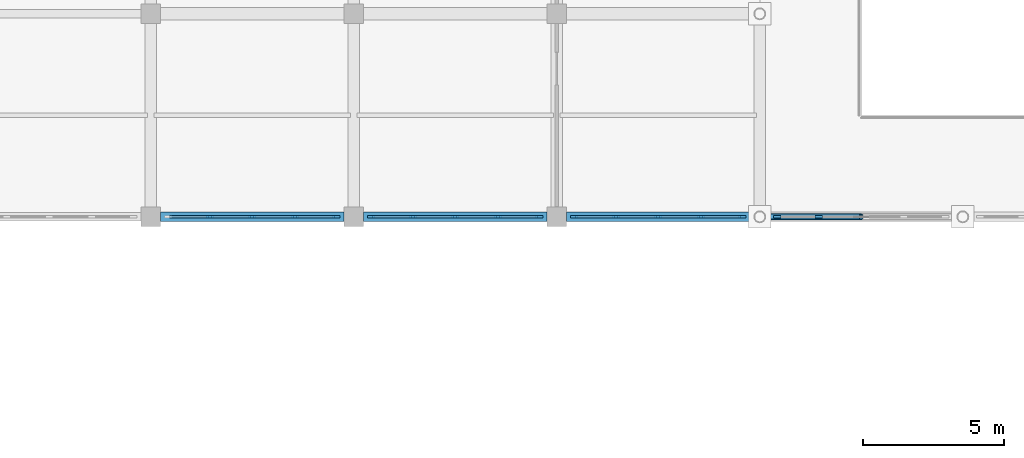
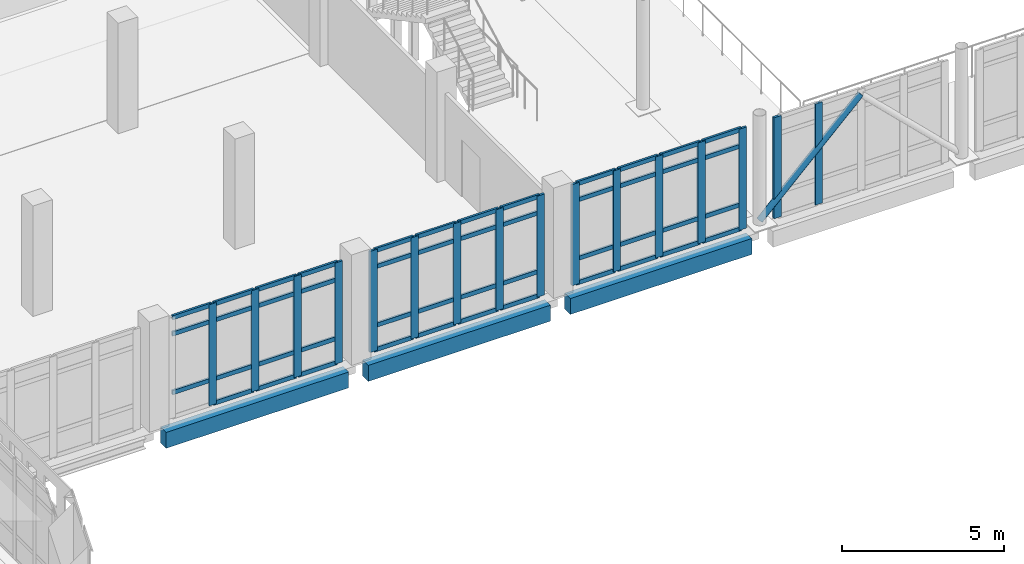
# One storey, part 11 of 62: 64 members, 3 beams, 4 elements without a shape of their own.
"""IFC4 building model written with IfcOpenShell, lengths in metres."""

from ifc_helpers import new_model, si_unit, direction, frame, origin, origin_2d, place, context, subcontext, project, spatial, rectangle, hollow_circle, extrude, material, layer, layer_set, material_profile, profile_set, type_object, element, aggregate, save


model = new_model("IFC4")

# Units and contexts
model_context = context("Model", 3, precision=1e-05, world=origin(), true_north=direction((0.0, 1.0)))
body_context = subcontext(model_context, "Body", "Model", "MODEL_VIEW")
ifc_project = project(units=[si_unit("LENGTHUNIT", "METRE"), si_unit("AREAUNIT", "SQUARE_METRE"), si_unit("VOLUMEUNIT", "CUBIC_METRE"), si_unit("PLANEANGLEUNIT", "RADIAN"), si_unit("MASSUNIT", "GRAM", prefix="KILO")], contexts=[model_context])

# Site, building, storey
site_placement = place(None, origin())
site = spatial("IfcSite", under=ifc_project, at=site_placement, CompositionType="ELEMENT")
building_placement = place(site_placement, origin())
building = spatial("IfcBuilding", under=site, at=building_placement, Name="Valkovuoma Quantum and Materials Research Institute", CompositionType="ELEMENT")
storey_placement = place(building_placement, frame((0.0, 0.0, 8.9599609375)))
storey = spatial("IfcBuildingStorey", under=building, at=storey_placement, Name="L02", CompositionType="ELEMENT", Elevation=8.9599609375)

# Beams
ifc_material_1 = material(Name="Concrete C40/50", Category="concrete")
ifc_material_profile_1 = material_profile(ifc_material_1, rectangle(XDim=0.35009765625, YDim=0.60009765625, at=origin_2d()), Name="Concrete C40/50")
ifc_profile_set_1 = profile_set([ifc_material_profile_1], Name="Concrete C40/50")
beam_type = type_object("IfcBeamType", Name="Beam-B-SPN600", PredefinedType="SPANDREL", material=ifc_profile_set_1)
for number, where, z_axis, x_axis, name in (
    (1, (21.949951171875, 36.0, -0.64990234375), (1.0, 0.0, 0.0), (0.0, 1.0, 0.0), "L02 beam X-1002"),
    (2, (29.14990234375, 36.0, -0.64990234375), (1.0, 0.0, 0.0), (0.0, 1.0, 0.0), "L02 beam X-1003"),
):
    element("IfcBeam", number, at=place(storey_placement, frame(where, z_axis=z_axis, x_axis=x_axis)), inside=storey, type_object=beam_type, Name=name, PredefinedType="SPANDREL", context=body_context, shape_type="SweptSolid", body=[
        extrude(rectangle(XDim=0.35009765625, YDim=0.60009765625, at=origin_2d()), origin(), (0.0, 0.0, 1.0), 6.5),
    ])
beam_placement = place(storey_placement, frame((36.35009765625, 36.0, -0.64990234375), z_axis=(1.0, 0.0, 0.0), x_axis=(0.0, 1.0, 0.0)))
element("IfcBeam", 3, at=beam_placement, inside=storey, type_object=beam_type, Name="L02 beam X-1004", PredefinedType="SPANDREL", context=body_context, shape_type="SweptSolid", body=[
    extrude(rectangle(XDim=0.35009765625, YDim=0.60009765625, at=origin_2d()), origin(), (0.0, 0.0, 1.0), 6.474853515625),
])

# Curtain wall, members
ifc_material_2 = material(Name="Thermally broken aluminium and triple low-E glazing", Category="aluminium")
ifc_layer = layer(ifc_material_2, 0.219970703125)
ifc_layer_set = layer_set([ifc_layer], Name="Thermally broken aluminium and triple low-E glazing")
curtain_wall_type = type_object("IfcCurtainWallType", Name="CW-CW-02", PredefinedType="NOTDEFINED", material=ifc_layer_set)
curtain_wall_1_placement = place(storey_placement, origin())
curtain_wall_1 = element("IfcCurtainWall", 4, at=curtain_wall_1_placement, inside=storey, type_object=curtain_wall_type, Name="L02 curtain wall 180", PredefinedType="NOTDEFINED")
ifc_material_3 = material(Name="Anodised aluminium 6060-T66", Category="aluminium")
ifc_material_profile_2 = material_profile(ifc_material_3, rectangle(XDim=0.080078125, YDim=0.260009765625, at=origin_2d()), Name="Anodised aluminium 6060-T66")
ifc_profile_set_2 = profile_set([ifc_material_profile_2], Name="Anodised aluminium 6060-T66")
member_type_1 = type_object("IfcMemberType", Name="CWMull-CWM-03", PredefinedType="MULLION", material=ifc_profile_set_2)
member_1_placement = place(storey_placement, frame((23.68994140625, 36.0, 0.0), z_axis=(0.0, 0.0, 1.0), x_axis=(0.0, 1.0, 0.0)))
member_1 = element("IfcMember", 5, at=member_1_placement, type_object=member_type_1, Name="CW-02 mullion 2", PredefinedType="MULLION", context=body_context, shape_type="SweptSolid", body=[
    extrude(rectangle(XDim=0.080078125, YDim=0.260009765625, at=origin_2d()), origin(), (0.0, 0.0, 1.0), 3.81005859375),
])
member_2_placement = place(storey_placement, frame((25.199951171875, 36.0, 0.0), z_axis=(0.0, 0.0, 1.0), x_axis=(0.0, 1.0, 0.0)))
member_2 = element("IfcMember", 6, at=member_2_placement, type_object=member_type_1, Name="CW-02 mullion 3", PredefinedType="MULLION", context=body_context, shape_type="SweptSolid", body=[
    extrude(rectangle(XDim=0.080078125, YDim=0.260009765625, at=origin_2d()), origin(), (0.0, 0.0, 1.0), 3.81005859375),
])
member_3_placement = place(storey_placement, frame((26.7099609375, 36.0, 0.0), z_axis=(0.0, 0.0, 1.0), x_axis=(0.0, 1.0, 0.0)))
member_3 = element("IfcMember", 7, at=member_3_placement, type_object=member_type_1, Name="CW-02 mullion 4", PredefinedType="MULLION", context=body_context, shape_type="SweptSolid", body=[
    extrude(rectangle(XDim=0.080078125, YDim=0.260009765625, at=origin_2d()), origin(), (0.0, 0.0, 1.0), 3.81005859375),
])
member_4_placement = place(storey_placement, frame((28.179931640625, 36.0, 0.0), z_axis=(0.0, 0.0, 1.0), x_axis=(0.0, 1.0, 0.0)))
member_4 = element("IfcMember", 8, at=member_4_placement, type_object=member_type_1, Name="CW-02 mullion 5", PredefinedType="MULLION", context=body_context, shape_type="SweptSolid", body=[
    extrude(rectangle(XDim=0.080078125, YDim=0.260009765625, at=origin_2d()), origin(), (0.0, 0.0, 1.0), 3.81005859375),
])

curtain_wall_2_placement = place(storey_placement, origin())
curtain_wall_2 = element("IfcCurtainWall", 9, at=curtain_wall_2_placement, inside=storey, type_object=curtain_wall_type, Name="L02 curtain wall 181", PredefinedType="NOTDEFINED")
member_5_placement = place(storey_placement, frame((29.419921875, 36.0, 0.0), z_axis=(0.0, 0.0, 1.0), x_axis=(0.0, 1.0, 0.0)))
member_5 = element("IfcMember", 10, at=member_5_placement, type_object=member_type_1, Name="CW-02 mullion 1", PredefinedType="MULLION", context=body_context, shape_type="SweptSolid", body=[
    extrude(rectangle(XDim=0.080078125, YDim=0.260009765625, at=origin_2d()), origin(), (0.0, 0.0, 1.0), 3.81005859375),
])
member_6_placement = place(storey_placement, frame((30.889892578125, 36.0, 0.0), z_axis=(0.0, 0.0, 1.0), x_axis=(0.0, 1.0, 0.0)))
member_6 = element("IfcMember", 11, at=member_6_placement, type_object=member_type_1, Name="CW-02 mullion 2", PredefinedType="MULLION", context=body_context, shape_type="SweptSolid", body=[
    extrude(rectangle(XDim=0.080078125, YDim=0.260009765625, at=origin_2d()), origin(), (0.0, 0.0, 1.0), 3.81005859375),
])
member_7_placement = place(storey_placement, frame((32.39990234375, 36.0, 0.0), z_axis=(0.0, 0.0, 1.0), x_axis=(0.0, 1.0, 0.0)))
member_7 = element("IfcMember", 12, at=member_7_placement, type_object=member_type_1, Name="CW-02 mullion 3", PredefinedType="MULLION", context=body_context, shape_type="SweptSolid", body=[
    extrude(rectangle(XDim=0.080078125, YDim=0.260009765625, at=origin_2d()), origin(), (0.0, 0.0, 1.0), 3.81005859375),
])
member_8_placement = place(storey_placement, frame((33.909912109375, 36.0, 0.0), z_axis=(0.0, 0.0, 1.0), x_axis=(0.0, 1.0, 0.0)))
member_8 = element("IfcMember", 13, at=member_8_placement, type_object=member_type_1, Name="CW-02 mullion 4", PredefinedType="MULLION", context=body_context, shape_type="SweptSolid", body=[
    extrude(rectangle(XDim=0.080078125, YDim=0.260009765625, at=origin_2d()), origin(), (0.0, 0.0, 1.0), 3.81005859375),
])
member_9_placement = place(storey_placement, frame((35.3798828125, 36.0, 0.0), z_axis=(0.0, 0.0, 1.0), x_axis=(0.0, 1.0, 0.0)))
member_9 = element("IfcMember", 14, at=member_9_placement, type_object=member_type_1, Name="CW-02 mullion 5", PredefinedType="MULLION", context=body_context, shape_type="SweptSolid", body=[
    extrude(rectangle(XDim=0.080078125, YDim=0.260009765625, at=origin_2d()), origin(), (0.0, 0.0, 1.0), 3.81005859375),
])

curtain_wall_3_placement = place(storey_placement, origin())
curtain_wall_3 = element("IfcCurtainWall", 15, at=curtain_wall_3_placement, inside=storey, type_object=curtain_wall_type, Name="L02 curtain wall 182", PredefinedType="NOTDEFINED")
member_10_placement = place(storey_placement, frame((36.6201171875, 36.0, 0.0), z_axis=(0.0, 0.0, 1.0), x_axis=(0.0, 1.0, 0.0)))
member_10 = element("IfcMember", 16, at=member_10_placement, type_object=member_type_1, Name="CW-02 mullion 1", PredefinedType="MULLION", context=body_context, shape_type="SweptSolid", body=[
    extrude(rectangle(XDim=0.080078125, YDim=0.260009765625, at=origin_2d()), origin(), (0.0, 0.0, 1.0), 3.81005859375),
])
member_11_placement = place(storey_placement, frame((38.090087890625, 36.0, 0.0), z_axis=(0.0, 0.0, 1.0), x_axis=(0.0, 1.0, 0.0)))
member_11 = element("IfcMember", 17, at=member_11_placement, type_object=member_type_1, Name="CW-02 mullion 2", PredefinedType="MULLION", context=body_context, shape_type="SweptSolid", body=[
    extrude(rectangle(XDim=0.080078125, YDim=0.260009765625, at=origin_2d()), origin(), (0.0, 0.0, 1.0), 3.81005859375),
])
member_12_placement = place(storey_placement, frame((39.60009765625, 36.0, 0.0), z_axis=(0.0, 0.0, 1.0), x_axis=(0.0, 1.0, 0.0)))
member_12 = element("IfcMember", 18, at=member_12_placement, type_object=member_type_1, Name="CW-02 mullion 3", PredefinedType="MULLION", context=body_context, shape_type="SweptSolid", body=[
    extrude(rectangle(XDim=0.080078125, YDim=0.260009765625, at=origin_2d()), origin(), (0.0, 0.0, 1.0), 3.81005859375),
])
member_13_placement = place(storey_placement, frame((41.110107421875, 36.0, 0.0), z_axis=(0.0, 0.0, 1.0), x_axis=(0.0, 1.0, 0.0)))
member_13 = element("IfcMember", 19, at=member_13_placement, type_object=member_type_1, Name="CW-02 mullion 4", PredefinedType="MULLION", context=body_context, shape_type="SweptSolid", body=[
    extrude(rectangle(XDim=0.080078125, YDim=0.260009765625, at=origin_2d()), origin(), (0.0, 0.0, 1.0), 3.81005859375),
])
member_14_placement = place(storey_placement, frame((42.580078125, 36.0, 0.0), z_axis=(0.0, 0.0, 1.0), x_axis=(0.0, 1.0, 0.0)))
member_14 = element("IfcMember", 20, at=member_14_placement, type_object=member_type_1, Name="CW-02 mullion 5", PredefinedType="MULLION", context=body_context, shape_type="SweptSolid", body=[
    extrude(rectangle(XDim=0.080078125, YDim=0.260009765625, at=origin_2d()), origin(), (0.0, 0.0, 1.0), 3.81005859375),
])

curtain_wall_4_placement = place(storey_placement, origin())
curtain_wall_4 = element("IfcCurtainWall", 21, at=curtain_wall_4_placement, inside=storey, type_object=curtain_wall_type, Name="L02 curtain wall 183", PredefinedType="NOTDEFINED")
member_15_placement = place(storey_placement, frame((43.820068359375, 36.0, 0.0), z_axis=(0.0, 0.0, 1.0), x_axis=(0.0, 1.0, 0.0)))
member_15 = element("IfcMember", 22, at=member_15_placement, type_object=member_type_1, Name="CW-02 mullion 1", PredefinedType="MULLION", context=body_context, shape_type="SweptSolid", body=[
    extrude(rectangle(XDim=0.080078125, YDim=0.260009765625, at=origin_2d()), origin(), (0.0, 0.0, 1.0), 3.81005859375),
])
member_16_placement = place(storey_placement, frame((45.2900390625, 36.0, 0.0), z_axis=(0.0, 0.0, 1.0), x_axis=(0.0, 1.0, 0.0)))
member_16 = element("IfcMember", 23, at=member_16_placement, type_object=member_type_1, Name="CW-02 mullion 2", PredefinedType="MULLION", context=body_context, shape_type="SweptSolid", body=[
    extrude(rectangle(XDim=0.080078125, YDim=0.260009765625, at=origin_2d()), origin(), (0.0, 0.0, 1.0), 3.81005859375),
])
aggregate(curtain_wall_4, [member_15, member_16])

# Member
ifc_material_4 = material(Name="Anodised aluminium 6060-T66", Category="aluminium")
ifc_material_profile_3 = material_profile(ifc_material_4, rectangle(XDim=0.074951171875, YDim=0.159912109375, at=origin_2d()), Name="Anodised aluminium 6060-T66")
ifc_profile_set_3 = profile_set([ifc_material_profile_3], Name="Anodised aluminium 6060-T66")
member_type_2 = type_object("IfcMemberType", Name="CWTran-CWT-02", PredefinedType="USERDEFINED", material=ifc_profile_set_3)
member_17_placement = place(storey_placement, frame((22.260009765625, 36.0, 0.949951171875), z_axis=(1.0, 0.0, 0.0), x_axis=(0.0, 1.0, 0.0)))
member_17 = element("IfcMember", 24, at=member_17_placement, type_object=member_type_2, Name="CW-02 transom 1.2", ObjectType="TRANSOM", PredefinedType="USERDEFINED", context=body_context, shape_type="SweptSolid", body=[
    extrude(rectangle(XDim=0.074951171875, YDim=0.159912109375, at=origin_2d()), origin(), (0.0, 0.0, 1.0), 1.389892578125),
])

member_18_placement = place(storey_placement, frame((22.260009765625, 36.0, 3.16015625), z_axis=(1.0, 0.0, 0.0), x_axis=(0.0, 1.0, 0.0)))
member_18 = element("IfcMember", 25, at=member_18_placement, type_object=member_type_2, Name="CW-02 transom 1.3", ObjectType="TRANSOM", PredefinedType="USERDEFINED", context=body_context, shape_type="SweptSolid", body=[
    extrude(rectangle(XDim=0.074951171875, YDim=0.159912109375, at=origin_2d()), origin(), (0.0, 0.0, 1.0), 1.389892578125),
])

member_19_placement = place(storey_placement, frame((22.260009765625, 36.0, 3.7724609375), z_axis=(1.0, 0.0, 0.0), x_axis=(0.0, 1.0, 0.0)))
member_19 = element("IfcMember", 26, at=member_19_placement, type_object=member_type_2, Name="CW-02 transom 1.4", ObjectType="TRANSOM", PredefinedType="USERDEFINED", context=body_context, shape_type="SweptSolid", body=[
    extrude(rectangle(XDim=0.074951171875, YDim=0.159912109375, at=origin_2d()), origin(), (0.0, 0.0, 1.0), 1.389892578125),
])

member_20_placement = place(storey_placement, frame((23.72998046875, 36.0, 0.03759765625), z_axis=(1.0, 0.0, 0.0), x_axis=(0.0, 1.0, 0.0)))
member_20 = element("IfcMember", 27, at=member_20_placement, type_object=member_type_2, Name="CW-02 transom 2.1", ObjectType="TRANSOM", PredefinedType="USERDEFINED", context=body_context, shape_type="SweptSolid", body=[
    extrude(rectangle(XDim=0.074951171875, YDim=0.159912109375, at=origin_2d()), origin(), (0.0, 0.0, 1.0), 1.429931640625),
])

member_21_placement = place(storey_placement, frame((23.72998046875, 36.0, 0.949951171875), z_axis=(1.0, 0.0, 0.0), x_axis=(0.0, 1.0, 0.0)))
member_21 = element("IfcMember", 28, at=member_21_placement, type_object=member_type_2, Name="CW-02 transom 2.2", ObjectType="TRANSOM", PredefinedType="USERDEFINED", context=body_context, shape_type="SweptSolid", body=[
    extrude(rectangle(XDim=0.074951171875, YDim=0.159912109375, at=origin_2d()), origin(), (0.0, 0.0, 1.0), 1.429931640625),
])

member_22_placement = place(storey_placement, frame((23.72998046875, 36.0, 3.16015625), z_axis=(1.0, 0.0, 0.0), x_axis=(0.0, 1.0, 0.0)))
member_22 = element("IfcMember", 29, at=member_22_placement, type_object=member_type_2, Name="CW-02 transom 2.3", ObjectType="TRANSOM", PredefinedType="USERDEFINED", context=body_context, shape_type="SweptSolid", body=[
    extrude(rectangle(XDim=0.074951171875, YDim=0.159912109375, at=origin_2d()), origin(), (0.0, 0.0, 1.0), 1.429931640625),
])

member_23_placement = place(storey_placement, frame((23.72998046875, 36.0, 3.7724609375), z_axis=(1.0, 0.0, 0.0), x_axis=(0.0, 1.0, 0.0)))
member_23 = element("IfcMember", 30, at=member_23_placement, type_object=member_type_2, Name="CW-02 transom 2.4", ObjectType="TRANSOM", PredefinedType="USERDEFINED", context=body_context, shape_type="SweptSolid", body=[
    extrude(rectangle(XDim=0.074951171875, YDim=0.159912109375, at=origin_2d()), origin(), (0.0, 0.0, 1.0), 1.429931640625),
])

member_24_placement = place(storey_placement, frame((25.239990234375, 36.0, 0.03759765625), z_axis=(1.0, 0.0, 0.0), x_axis=(0.0, 1.0, 0.0)))
member_24 = element("IfcMember", 31, at=member_24_placement, type_object=member_type_2, Name="CW-02 transom 3.1", ObjectType="TRANSOM", PredefinedType="USERDEFINED", context=body_context, shape_type="SweptSolid", body=[
    extrude(rectangle(XDim=0.074951171875, YDim=0.159912109375, at=origin_2d()), origin(), (0.0, 0.0, 1.0), 1.429931640625),
])

member_25_placement = place(storey_placement, frame((25.239990234375, 36.0, 0.949951171875), z_axis=(1.0, 0.0, 0.0), x_axis=(0.0, 1.0, 0.0)))
member_25 = element("IfcMember", 32, at=member_25_placement, type_object=member_type_2, Name="CW-02 transom 3.2", ObjectType="TRANSOM", PredefinedType="USERDEFINED", context=body_context, shape_type="SweptSolid", body=[
    extrude(rectangle(XDim=0.074951171875, YDim=0.159912109375, at=origin_2d()), origin(), (0.0, 0.0, 1.0), 1.429931640625),
])

member_26_placement = place(storey_placement, frame((25.239990234375, 36.0, 3.16015625), z_axis=(1.0, 0.0, 0.0), x_axis=(0.0, 1.0, 0.0)))
member_26 = element("IfcMember", 33, at=member_26_placement, type_object=member_type_2, Name="CW-02 transom 3.3", ObjectType="TRANSOM", PredefinedType="USERDEFINED", context=body_context, shape_type="SweptSolid", body=[
    extrude(rectangle(XDim=0.074951171875, YDim=0.159912109375, at=origin_2d()), origin(), (0.0, 0.0, 1.0), 1.429931640625),
])

member_27_placement = place(storey_placement, frame((25.239990234375, 36.0, 3.7724609375), z_axis=(1.0, 0.0, 0.0), x_axis=(0.0, 1.0, 0.0)))
member_27 = element("IfcMember", 34, at=member_27_placement, type_object=member_type_2, Name="CW-02 transom 3.4", ObjectType="TRANSOM", PredefinedType="USERDEFINED", context=body_context, shape_type="SweptSolid", body=[
    extrude(rectangle(XDim=0.074951171875, YDim=0.159912109375, at=origin_2d()), origin(), (0.0, 0.0, 1.0), 1.429931640625),
])

member_28_placement = place(storey_placement, frame((26.75, 36.0, 0.03759765625), z_axis=(1.0, 0.0, 0.0), x_axis=(0.0, 1.0, 0.0)))
member_28 = element("IfcMember", 35, at=member_28_placement, type_object=member_type_2, Name="CW-02 transom 4.1", ObjectType="TRANSOM", PredefinedType="USERDEFINED", context=body_context, shape_type="SweptSolid", body=[
    extrude(rectangle(XDim=0.074951171875, YDim=0.159912109375, at=origin_2d()), origin(), (0.0, 0.0, 1.0), 1.389892578125),
])

member_29_placement = place(storey_placement, frame((26.75, 36.0, 0.949951171875), z_axis=(1.0, 0.0, 0.0), x_axis=(0.0, 1.0, 0.0)))
member_29 = element("IfcMember", 36, at=member_29_placement, type_object=member_type_2, Name="CW-02 transom 4.2", ObjectType="TRANSOM", PredefinedType="USERDEFINED", context=body_context, shape_type="SweptSolid", body=[
    extrude(rectangle(XDim=0.074951171875, YDim=0.159912109375, at=origin_2d()), origin(), (0.0, 0.0, 1.0), 1.389892578125),
])

member_30_placement = place(storey_placement, frame((26.75, 36.0, 3.16015625), z_axis=(1.0, 0.0, 0.0), x_axis=(0.0, 1.0, 0.0)))
member_30 = element("IfcMember", 37, at=member_30_placement, type_object=member_type_2, Name="CW-02 transom 4.3", ObjectType="TRANSOM", PredefinedType="USERDEFINED", context=body_context, shape_type="SweptSolid", body=[
    extrude(rectangle(XDim=0.074951171875, YDim=0.159912109375, at=origin_2d()), origin(), (0.0, 0.0, 1.0), 1.389892578125),
])

member_31_placement = place(storey_placement, frame((26.75, 36.0, 3.7724609375), z_axis=(1.0, 0.0, 0.0), x_axis=(0.0, 1.0, 0.0)))
member_31 = element("IfcMember", 38, at=member_31_placement, type_object=member_type_2, Name="CW-02 transom 4.4", ObjectType="TRANSOM", PredefinedType="USERDEFINED", context=body_context, shape_type="SweptSolid", body=[
    extrude(rectangle(XDim=0.074951171875, YDim=0.159912109375, at=origin_2d()), origin(), (0.0, 0.0, 1.0), 1.389892578125),
])

aggregate(curtain_wall_1, [member_1, member_2, member_3, member_4, member_17, member_18, member_19, member_20, member_21, member_22, member_23, member_24, member_25, member_26, member_27, member_28, member_29, member_30, member_31])

member_32_placement = place(storey_placement, frame((29.4599609375, 36.0, 0.03759765625), z_axis=(1.0, 0.0, 0.0), x_axis=(0.0, 1.0, 0.0)))
member_32 = element("IfcMember", 39, at=member_32_placement, type_object=member_type_2, Name="CW-02 transom 1.1", ObjectType="TRANSOM", PredefinedType="USERDEFINED", context=body_context, shape_type="SweptSolid", body=[
    extrude(rectangle(XDim=0.074951171875, YDim=0.159912109375, at=origin_2d()), origin(), (0.0, 0.0, 1.0), 1.39013671875),
])

member_33_placement = place(storey_placement, frame((29.4599609375, 36.0, 0.949951171875), z_axis=(1.0, 0.0, 0.0), x_axis=(0.0, 1.0, 0.0)))
member_33 = element("IfcMember", 40, at=member_33_placement, type_object=member_type_2, Name="CW-02 transom 1.2", ObjectType="TRANSOM", PredefinedType="USERDEFINED", context=body_context, shape_type="SweptSolid", body=[
    extrude(rectangle(XDim=0.074951171875, YDim=0.159912109375, at=origin_2d()), origin(), (0.0, 0.0, 1.0), 1.39013671875),
])

member_34_placement = place(storey_placement, frame((29.4599609375, 36.0, 3.16015625), z_axis=(1.0, 0.0, 0.0), x_axis=(0.0, 1.0, 0.0)))
member_34 = element("IfcMember", 41, at=member_34_placement, type_object=member_type_2, Name="CW-02 transom 1.3", ObjectType="TRANSOM", PredefinedType="USERDEFINED", context=body_context, shape_type="SweptSolid", body=[
    extrude(rectangle(XDim=0.074951171875, YDim=0.159912109375, at=origin_2d()), origin(), (0.0, 0.0, 1.0), 1.39013671875),
])

member_35_placement = place(storey_placement, frame((29.4599609375, 36.0, 3.7724609375), z_axis=(1.0, 0.0, 0.0), x_axis=(0.0, 1.0, 0.0)))
member_35 = element("IfcMember", 42, at=member_35_placement, type_object=member_type_2, Name="CW-02 transom 1.4", ObjectType="TRANSOM", PredefinedType="USERDEFINED", context=body_context, shape_type="SweptSolid", body=[
    extrude(rectangle(XDim=0.074951171875, YDim=0.159912109375, at=origin_2d()), origin(), (0.0, 0.0, 1.0), 1.39013671875),
])

member_36_placement = place(storey_placement, frame((30.929931640625, 36.0, 0.03759765625), z_axis=(1.0, 0.0, 0.0), x_axis=(0.0, 1.0, 0.0)))
member_36 = element("IfcMember", 43, at=member_36_placement, type_object=member_type_2, Name="CW-02 transom 2.1", ObjectType="TRANSOM", PredefinedType="USERDEFINED", context=body_context, shape_type="SweptSolid", body=[
    extrude(rectangle(XDim=0.074951171875, YDim=0.159912109375, at=origin_2d()), origin(), (0.0, 0.0, 1.0), 1.43017578125),
])

member_37_placement = place(storey_placement, frame((30.929931640625, 36.0, 0.949951171875), z_axis=(1.0, 0.0, 0.0), x_axis=(0.0, 1.0, 0.0)))
member_37 = element("IfcMember", 44, at=member_37_placement, type_object=member_type_2, Name="CW-02 transom 2.2", ObjectType="TRANSOM", PredefinedType="USERDEFINED", context=body_context, shape_type="SweptSolid", body=[
    extrude(rectangle(XDim=0.074951171875, YDim=0.159912109375, at=origin_2d()), origin(), (0.0, 0.0, 1.0), 1.43017578125),
])

member_38_placement = place(storey_placement, frame((30.929931640625, 36.0, 3.16015625), z_axis=(1.0, 0.0, 0.0), x_axis=(0.0, 1.0, 0.0)))
member_38 = element("IfcMember", 45, at=member_38_placement, type_object=member_type_2, Name="CW-02 transom 2.3", ObjectType="TRANSOM", PredefinedType="USERDEFINED", context=body_context, shape_type="SweptSolid", body=[
    extrude(rectangle(XDim=0.074951171875, YDim=0.159912109375, at=origin_2d()), origin(), (0.0, 0.0, 1.0), 1.43017578125),
])

member_39_placement = place(storey_placement, frame((30.929931640625, 36.0, 3.7724609375), z_axis=(1.0, 0.0, 0.0), x_axis=(0.0, 1.0, 0.0)))
member_39 = element("IfcMember", 46, at=member_39_placement, type_object=member_type_2, Name="CW-02 transom 2.4", ObjectType="TRANSOM", PredefinedType="USERDEFINED", context=body_context, shape_type="SweptSolid", body=[
    extrude(rectangle(XDim=0.074951171875, YDim=0.159912109375, at=origin_2d()), origin(), (0.0, 0.0, 1.0), 1.43017578125),
])

member_40_placement = place(storey_placement, frame((32.43994140625, 36.0, 0.03759765625), z_axis=(1.0, 0.0, 0.0), x_axis=(0.0, 1.0, 0.0)))
member_40 = element("IfcMember", 47, at=member_40_placement, type_object=member_type_2, Name="CW-02 transom 3.1", ObjectType="TRANSOM", PredefinedType="USERDEFINED", context=body_context, shape_type="SweptSolid", body=[
    extrude(rectangle(XDim=0.074951171875, YDim=0.159912109375, at=origin_2d()), origin(), (0.0, 0.0, 1.0), 1.43017578125),
])

member_41_placement = place(storey_placement, frame((32.43994140625, 36.0, 0.949951171875), z_axis=(1.0, 0.0, 0.0), x_axis=(0.0, 1.0, 0.0)))
member_41 = element("IfcMember", 48, at=member_41_placement, type_object=member_type_2, Name="CW-02 transom 3.2", ObjectType="TRANSOM", PredefinedType="USERDEFINED", context=body_context, shape_type="SweptSolid", body=[
    extrude(rectangle(XDim=0.074951171875, YDim=0.159912109375, at=origin_2d()), origin(), (0.0, 0.0, 1.0), 1.43017578125),
])

member_42_placement = place(storey_placement, frame((32.43994140625, 36.0, 3.16015625), z_axis=(1.0, 0.0, 0.0), x_axis=(0.0, 1.0, 0.0)))
member_42 = element("IfcMember", 49, at=member_42_placement, type_object=member_type_2, Name="CW-02 transom 3.3", ObjectType="TRANSOM", PredefinedType="USERDEFINED", context=body_context, shape_type="SweptSolid", body=[
    extrude(rectangle(XDim=0.074951171875, YDim=0.159912109375, at=origin_2d()), origin(), (0.0, 0.0, 1.0), 1.43017578125),
])

member_43_placement = place(storey_placement, frame((32.43994140625, 36.0, 3.7724609375), z_axis=(1.0, 0.0, 0.0), x_axis=(0.0, 1.0, 0.0)))
member_43 = element("IfcMember", 50, at=member_43_placement, type_object=member_type_2, Name="CW-02 transom 3.4", ObjectType="TRANSOM", PredefinedType="USERDEFINED", context=body_context, shape_type="SweptSolid", body=[
    extrude(rectangle(XDim=0.074951171875, YDim=0.159912109375, at=origin_2d()), origin(), (0.0, 0.0, 1.0), 1.43017578125),
])

member_44_placement = place(storey_placement, frame((33.949951171875, 36.0, 0.03759765625), z_axis=(1.0, 0.0, 0.0), x_axis=(0.0, 1.0, 0.0)))
member_44 = element("IfcMember", 51, at=member_44_placement, type_object=member_type_2, Name="CW-02 transom 4.1", ObjectType="TRANSOM", PredefinedType="USERDEFINED", context=body_context, shape_type="SweptSolid", body=[
    extrude(rectangle(XDim=0.074951171875, YDim=0.159912109375, at=origin_2d()), origin(), (0.0, 0.0, 1.0), 1.39013671875),
])

member_45_placement = place(storey_placement, frame((33.949951171875, 36.0, 0.949951171875), z_axis=(1.0, 0.0, 0.0), x_axis=(0.0, 1.0, 0.0)))
member_45 = element("IfcMember", 52, at=member_45_placement, type_object=member_type_2, Name="CW-02 transom 4.2", ObjectType="TRANSOM", PredefinedType="USERDEFINED", context=body_context, shape_type="SweptSolid", body=[
    extrude(rectangle(XDim=0.074951171875, YDim=0.159912109375, at=origin_2d()), origin(), (0.0, 0.0, 1.0), 1.39013671875),
])

member_46_placement = place(storey_placement, frame((33.949951171875, 36.0, 3.16015625), z_axis=(1.0, 0.0, 0.0), x_axis=(0.0, 1.0, 0.0)))
member_46 = element("IfcMember", 53, at=member_46_placement, type_object=member_type_2, Name="CW-02 transom 4.3", ObjectType="TRANSOM", PredefinedType="USERDEFINED", context=body_context, shape_type="SweptSolid", body=[
    extrude(rectangle(XDim=0.074951171875, YDim=0.159912109375, at=origin_2d()), origin(), (0.0, 0.0, 1.0), 1.39013671875),
])

member_47_placement = place(storey_placement, frame((33.949951171875, 36.0, 3.7724609375), z_axis=(1.0, 0.0, 0.0), x_axis=(0.0, 1.0, 0.0)))
member_47 = element("IfcMember", 54, at=member_47_placement, type_object=member_type_2, Name="CW-02 transom 4.4", ObjectType="TRANSOM", PredefinedType="USERDEFINED", context=body_context, shape_type="SweptSolid", body=[
    extrude(rectangle(XDim=0.074951171875, YDim=0.159912109375, at=origin_2d()), origin(), (0.0, 0.0, 1.0), 1.39013671875),
])

aggregate(curtain_wall_2, [member_5, member_6, member_7, member_8, member_9, member_32, member_33, member_34, member_35, member_36, member_37, member_38, member_39, member_40, member_41, member_42, member_43, member_44, member_45, member_46, member_47])

member_48_placement = place(storey_placement, frame((36.659912109375, 36.0, 0.03759765625), z_axis=(1.0, 0.0, 0.0), x_axis=(0.0, 1.0, 0.0)))
member_48 = element("IfcMember", 55, at=member_48_placement, type_object=member_type_2, Name="CW-02 transom 1.1", ObjectType="TRANSOM", PredefinedType="USERDEFINED", context=body_context, shape_type="SweptSolid", body=[
    extrude(rectangle(XDim=0.074951171875, YDim=0.159912109375, at=origin_2d()), origin(), (0.0, 0.0, 1.0), 1.39013671875),
])

member_49_placement = place(storey_placement, frame((36.659912109375, 36.0, 0.949951171875), z_axis=(1.0, 0.0, 0.0), x_axis=(0.0, 1.0, 0.0)))
member_49 = element("IfcMember", 56, at=member_49_placement, type_object=member_type_2, Name="CW-02 transom 1.2", ObjectType="TRANSOM", PredefinedType="USERDEFINED", context=body_context, shape_type="SweptSolid", body=[
    extrude(rectangle(XDim=0.074951171875, YDim=0.159912109375, at=origin_2d()), origin(), (0.0, 0.0, 1.0), 1.39013671875),
])

member_50_placement = place(storey_placement, frame((36.659912109375, 36.0, 3.16015625), z_axis=(1.0, 0.0, 0.0), x_axis=(0.0, 1.0, 0.0)))
member_50 = element("IfcMember", 57, at=member_50_placement, type_object=member_type_2, Name="CW-02 transom 1.3", ObjectType="TRANSOM", PredefinedType="USERDEFINED", context=body_context, shape_type="SweptSolid", body=[
    extrude(rectangle(XDim=0.074951171875, YDim=0.159912109375, at=origin_2d()), origin(), (0.0, 0.0, 1.0), 1.39013671875),
])

member_51_placement = place(storey_placement, frame((36.659912109375, 36.0, 3.7724609375), z_axis=(1.0, 0.0, 0.0), x_axis=(0.0, 1.0, 0.0)))
member_51 = element("IfcMember", 58, at=member_51_placement, type_object=member_type_2, Name="CW-02 transom 1.4", ObjectType="TRANSOM", PredefinedType="USERDEFINED", context=body_context, shape_type="SweptSolid", body=[
    extrude(rectangle(XDim=0.074951171875, YDim=0.159912109375, at=origin_2d()), origin(), (0.0, 0.0, 1.0), 1.39013671875),
])

member_52_placement = place(storey_placement, frame((38.1298828125, 36.0, 0.03759765625), z_axis=(1.0, 0.0, 0.0), x_axis=(0.0, 1.0, 0.0)))
member_52 = element("IfcMember", 59, at=member_52_placement, type_object=member_type_2, Name="CW-02 transom 2.1", ObjectType="TRANSOM", PredefinedType="USERDEFINED", context=body_context, shape_type="SweptSolid", body=[
    extrude(rectangle(XDim=0.074951171875, YDim=0.159912109375, at=origin_2d()), origin(), (0.0, 0.0, 1.0), 1.43017578125),
])

member_53_placement = place(storey_placement, frame((38.1298828125, 36.0, 0.949951171875), z_axis=(1.0, 0.0, 0.0), x_axis=(0.0, 1.0, 0.0)))
member_53 = element("IfcMember", 60, at=member_53_placement, type_object=member_type_2, Name="CW-02 transom 2.2", ObjectType="TRANSOM", PredefinedType="USERDEFINED", context=body_context, shape_type="SweptSolid", body=[
    extrude(rectangle(XDim=0.074951171875, YDim=0.159912109375, at=origin_2d()), origin(), (0.0, 0.0, 1.0), 1.43017578125),
])

member_54_placement = place(storey_placement, frame((38.1298828125, 36.0, 3.16015625), z_axis=(1.0, 0.0, 0.0), x_axis=(0.0, 1.0, 0.0)))
member_54 = element("IfcMember", 61, at=member_54_placement, type_object=member_type_2, Name="CW-02 transom 2.3", ObjectType="TRANSOM", PredefinedType="USERDEFINED", context=body_context, shape_type="SweptSolid", body=[
    extrude(rectangle(XDim=0.074951171875, YDim=0.159912109375, at=origin_2d()), origin(), (0.0, 0.0, 1.0), 1.43017578125),
])

member_55_placement = place(storey_placement, frame((38.1298828125, 36.0, 3.7724609375), z_axis=(1.0, 0.0, 0.0), x_axis=(0.0, 1.0, 0.0)))
member_55 = element("IfcMember", 62, at=member_55_placement, type_object=member_type_2, Name="CW-02 transom 2.4", ObjectType="TRANSOM", PredefinedType="USERDEFINED", context=body_context, shape_type="SweptSolid", body=[
    extrude(rectangle(XDim=0.074951171875, YDim=0.159912109375, at=origin_2d()), origin(), (0.0, 0.0, 1.0), 1.43017578125),
])

member_56_placement = place(storey_placement, frame((39.639892578125, 36.0, 0.03759765625), z_axis=(1.0, 0.0, 0.0), x_axis=(0.0, 1.0, 0.0)))
member_56 = element("IfcMember", 63, at=member_56_placement, type_object=member_type_2, Name="CW-02 transom 3.1", ObjectType="TRANSOM", PredefinedType="USERDEFINED", context=body_context, shape_type="SweptSolid", body=[
    extrude(rectangle(XDim=0.074951171875, YDim=0.159912109375, at=origin_2d()), origin(), (0.0, 0.0, 1.0), 1.43017578125),
])

member_57_placement = place(storey_placement, frame((39.639892578125, 36.0, 0.949951171875), z_axis=(1.0, 0.0, 0.0), x_axis=(0.0, 1.0, 0.0)))
member_57 = element("IfcMember", 64, at=member_57_placement, type_object=member_type_2, Name="CW-02 transom 3.2", ObjectType="TRANSOM", PredefinedType="USERDEFINED", context=body_context, shape_type="SweptSolid", body=[
    extrude(rectangle(XDim=0.074951171875, YDim=0.159912109375, at=origin_2d()), origin(), (0.0, 0.0, 1.0), 1.43017578125),
])

member_58_placement = place(storey_placement, frame((39.639892578125, 36.0, 3.16015625), z_axis=(1.0, 0.0, 0.0), x_axis=(0.0, 1.0, 0.0)))
member_58 = element("IfcMember", 65, at=member_58_placement, type_object=member_type_2, Name="CW-02 transom 3.3", ObjectType="TRANSOM", PredefinedType="USERDEFINED", context=body_context, shape_type="SweptSolid", body=[
    extrude(rectangle(XDim=0.074951171875, YDim=0.159912109375, at=origin_2d()), origin(), (0.0, 0.0, 1.0), 1.43017578125),
])

member_59_placement = place(storey_placement, frame((39.639892578125, 36.0, 3.7724609375), z_axis=(1.0, 0.0, 0.0), x_axis=(0.0, 1.0, 0.0)))
member_59 = element("IfcMember", 66, at=member_59_placement, type_object=member_type_2, Name="CW-02 transom 3.4", ObjectType="TRANSOM", PredefinedType="USERDEFINED", context=body_context, shape_type="SweptSolid", body=[
    extrude(rectangle(XDim=0.074951171875, YDim=0.159912109375, at=origin_2d()), origin(), (0.0, 0.0, 1.0), 1.43017578125),
])

member_60_placement = place(storey_placement, frame((41.14990234375, 36.0, 0.03759765625), z_axis=(1.0, 0.0, 0.0), x_axis=(0.0, 1.0, 0.0)))
member_60 = element("IfcMember", 67, at=member_60_placement, type_object=member_type_2, Name="CW-02 transom 4.1", ObjectType="TRANSOM", PredefinedType="USERDEFINED", context=body_context, shape_type="SweptSolid", body=[
    extrude(rectangle(XDim=0.074951171875, YDim=0.159912109375, at=origin_2d()), origin(), (0.0, 0.0, 1.0), 1.39013671875),
])

member_61_placement = place(storey_placement, frame((41.14990234375, 36.0, 0.949951171875), z_axis=(1.0, 0.0, 0.0), x_axis=(0.0, 1.0, 0.0)))
member_61 = element("IfcMember", 68, at=member_61_placement, type_object=member_type_2, Name="CW-02 transom 4.2", ObjectType="TRANSOM", PredefinedType="USERDEFINED", context=body_context, shape_type="SweptSolid", body=[
    extrude(rectangle(XDim=0.074951171875, YDim=0.159912109375, at=origin_2d()), origin(), (0.0, 0.0, 1.0), 1.39013671875),
])

member_62_placement = place(storey_placement, frame((41.14990234375, 36.0, 3.16015625), z_axis=(1.0, 0.0, 0.0), x_axis=(0.0, 1.0, 0.0)))
member_62 = element("IfcMember", 69, at=member_62_placement, type_object=member_type_2, Name="CW-02 transom 4.3", ObjectType="TRANSOM", PredefinedType="USERDEFINED", context=body_context, shape_type="SweptSolid", body=[
    extrude(rectangle(XDim=0.074951171875, YDim=0.159912109375, at=origin_2d()), origin(), (0.0, 0.0, 1.0), 1.39013671875),
])

member_63_placement = place(storey_placement, frame((41.14990234375, 36.0, 3.7724609375), z_axis=(1.0, 0.0, 0.0), x_axis=(0.0, 1.0, 0.0)))
member_63 = element("IfcMember", 70, at=member_63_placement, type_object=member_type_2, Name="CW-02 transom 4.4", ObjectType="TRANSOM", PredefinedType="USERDEFINED", context=body_context, shape_type="SweptSolid", body=[
    extrude(rectangle(XDim=0.074951171875, YDim=0.159912109375, at=origin_2d()), origin(), (0.0, 0.0, 1.0), 1.39013671875),
])

aggregate(curtain_wall_3, [member_10, member_11, member_12, member_13, member_14, member_48, member_49, member_50, member_51, member_52, member_53, member_54, member_55, member_56, member_57, member_58, member_59, member_60, member_61, member_62, member_63])

ifc_material_5 = material(Name="Steel S355J2H", Category="steel")
ifc_material_profile_4 = material_profile(ifc_material_5, hollow_circle(Radius=0.109619140625, WallThickness=0.010009765625, at=origin_2d()), Name="Steel S355J2H")
ifc_profile_set_4 = profile_set([ifc_material_profile_4], Name="Steel S355J2H")
member_type_3 = type_object("IfcMemberType", Name="Mem-M-BRC219", PredefinedType="BRACE", material=ifc_profile_set_4)
member_64_placement = place(storey_placement, frame((43.199951171875, 36.0, 0.10009765625), z_axis=(0.716008634166, 0.0, 0.698091423668), x_axis=(0.0, 1.0, 0.0)))
element("IfcMember", 71, at=member_64_placement, inside=storey, type_object=member_type_3, Name="L02 chevron wind brace 03A", PredefinedType="BRACE", context=body_context, shape_type="SweptSolid", body=[
    extrude(hollow_circle(Radius=0.109619140625, WallThickness=0.010009765625, at=origin_2d()), origin(), (0.0, 0.0, 1.0), 5.028076171875),
])

save(model, "model.ifc")
